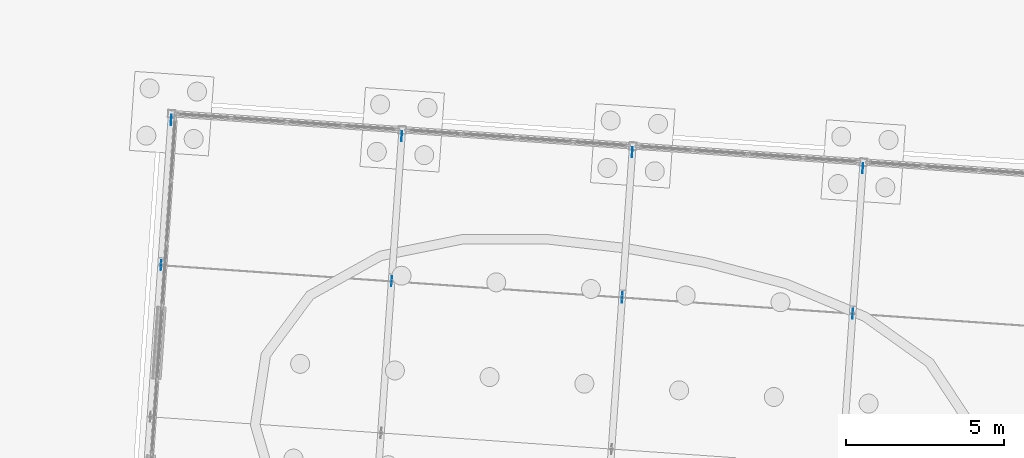
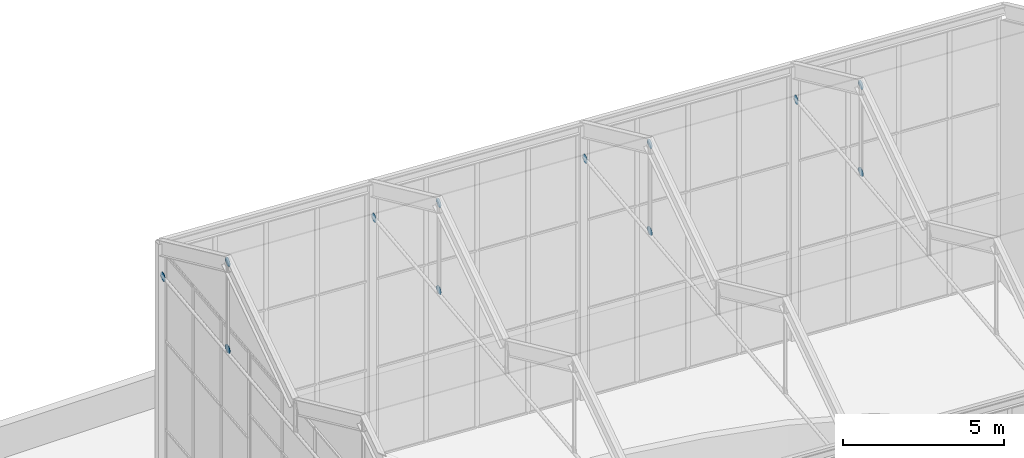
# One storey, part 120 of 157: 12 discrete accessories.
"""IFC4 building model written with IfcOpenShell, lengths in metres."""

from ifc_helpers import new_model, si_unit, direction, frame, origin, origin_2d, place, context, subcontext, project, spatial, circle, extrude, material, layer, layer_set, type_object, element, save


model = new_model("IFC4")

# Units and contexts
model_context = context("Model", 3, precision=1e-05, world=origin(), true_north=direction((0.0, 1.0)))
body_context = subcontext(model_context, "Body", "Model", "MODEL_VIEW")
ifc_project = project(units=[si_unit("LENGTHUNIT", "METRE"), si_unit("AREAUNIT", "SQUARE_METRE"), si_unit("VOLUMEUNIT", "CUBIC_METRE"), si_unit("PLANEANGLEUNIT", "RADIAN"), si_unit("MASSUNIT", "GRAM", prefix="KILO")], contexts=[model_context])

# Site, building, storey
site_placement = place(None, origin())
site = spatial("IfcSite", under=ifc_project, at=site_placement, CompositionType="ELEMENT")
building_placement = place(site_placement, origin())
building = spatial("IfcBuilding", under=site, at=building_placement, Name="Windward Yard Aquatics Centre", CompositionType="ELEMENT")
storey_placement = place(building_placement, origin())
storey = spatial("IfcBuildingStorey", under=building, at=storey_placement, Name="L00", CompositionType="ELEMENT", Elevation=0.0)

# Discrete accessories
ifc_material = material(Name="Steel S355", Category="steel")
ifc_layer = layer(ifc_material, 0.011962890625)
ifc_layer_set = layer_set([ifc_layer], Name="Gusset plate 320 mm disc 12 mm, roof frames")
discrete_accessory_type = type_object("IfcDiscreteAccessoryType", Name="Gusset plate 320 mm disc 12 mm, roof frames", PredefinedType="USERDEFINED", material=ifc_layer_set)
for number, where, z_axis, x_axis, name in (
    (1, (73.170654296875, 138.33740234375, 9.199951171875), (0.998131033565, -0.06111006328, 0.0), (0.06111006328, 0.998131033565, 0.0), "Gusset plate"),
    (2, (72.849609375, 133.74853515625, 9.35009765625), (0.998131033565, -0.06111006328, 0.0), (0.06111006328, 0.998131033565, 0.0), "Gusset plate"),
    (3, (72.849609375, 133.74853515625, 12.659912109375), (0.998131033565, -0.06111006328, 0.0), (0.06111006328, 0.998131033565, 0.0), "Gusset plate"),
    (4, (80.45263671875, 137.828369140625, 9.199951171875), (0.996684615823, -0.081362009455, 0.0), (0.081362009455, 0.996684615823, 0.0), "Gusset plate"),
    (5, (80.1318359375, 133.239501953125, 9.35009765625), (0.996684615823, -0.081362009455, 0.0), (0.081362009455, 0.996684615823, 0.0), "Gusset plate"),
    (6, (80.1318359375, 133.239501953125, 12.659912109375), (0.996684615823, -0.081362009455, 0.0), (0.081362009455, 0.996684615823, 0.0), "Gusset plate"),
    (7, (87.73486328125, 137.31884765625, 9.199951171875), (0.998131033565, -0.06111006328, 0.0), (0.06111006328, 0.998131033565, 0.0), "Gusset plate"),
    (8, (87.4140625, 132.730224609375, 9.35009765625), (0.998131033565, -0.06111006328, 0.0), (0.06111006328, 0.998131033565, 0.0), "Gusset plate"),
    (9, (87.4140625, 132.730224609375, 12.659912109375), (0.998131033565, -0.06111006328, 0.0), (0.06111006328, 0.998131033565, 0.0), "Gusset plate"),
    (10, (95.017333984375, 136.809814453125, 9.199951171875), (0.996684615823, -0.081362009455, 0.0), (0.081362009455, 0.996684615823, 0.0), "Gusset plate"),
    (11, (94.6962890625, 132.220947265625, 9.35009765625), (0.998131033565, -0.06111006328, 0.0), (0.06111006328, 0.998131033565, 0.0), "Gusset plate"),
    (12, (94.6962890625, 132.220947265625, 12.659912109375), (0.998131033565, -0.06111006328, 0.0), (0.06111006328, 0.998131033565, 0.0), "Gusset plate"),
):
    element("IfcDiscreteAccessory", number, at=place(storey_placement, frame(where, z_axis=z_axis, x_axis=x_axis)), inside=storey, type_object=discrete_accessory_type, Name=name, ObjectType="GUSSET PLATE", PredefinedType="USERDEFINED", context=body_context, shape_type="SweptSolid", body=[
        extrude(circle(Radius=0.159912109375, at=origin_2d()), origin(), (0.0, 0.0, 1.0), 0.011962890625),
    ])

save(model, "model.ifc")
